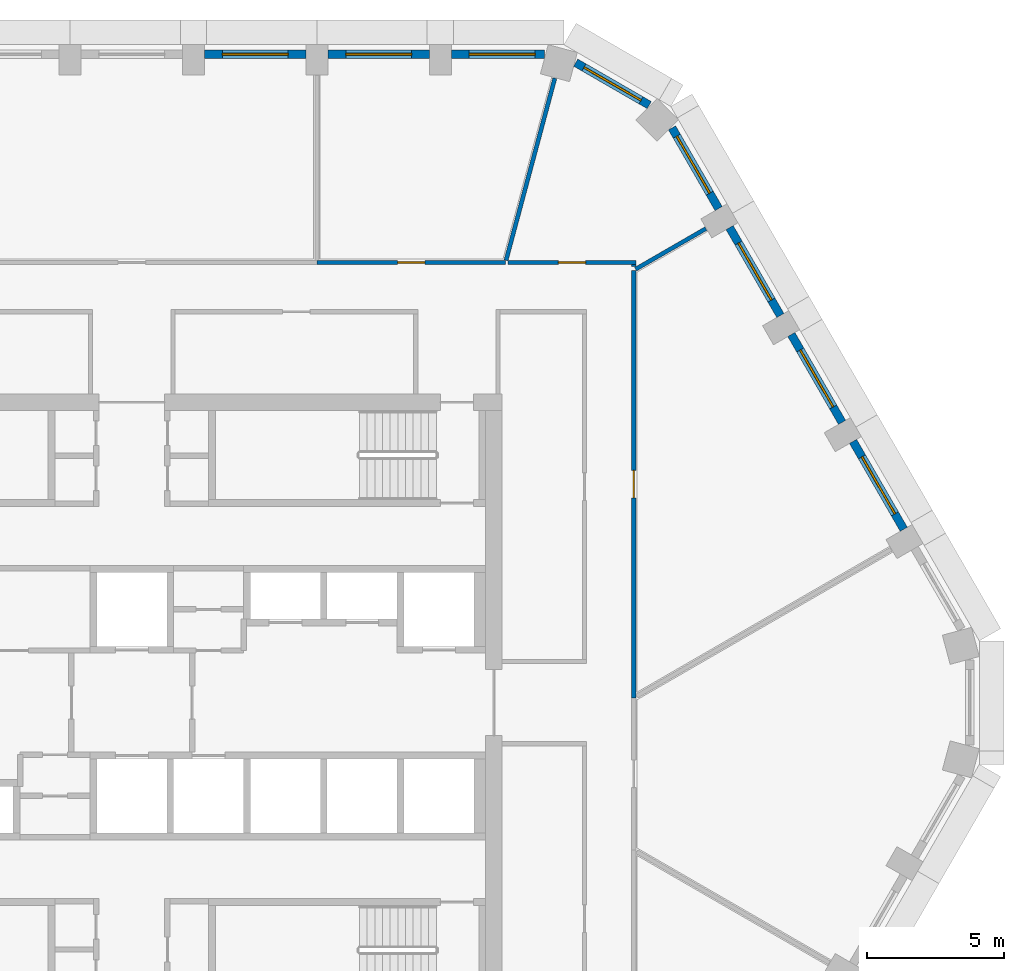
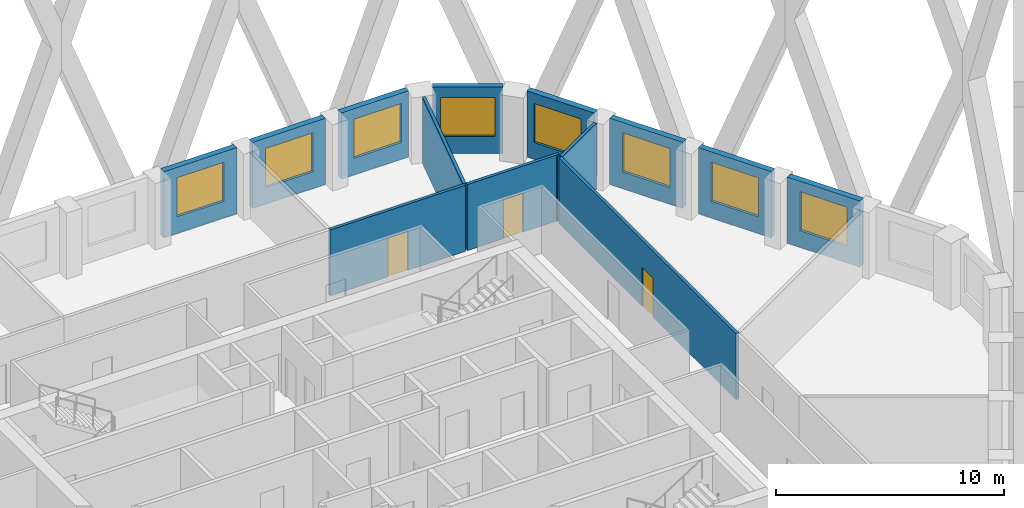
# One storey, part 7 of 16: 14 walls, 8 windows, 3 doors, 11 openings.
"""IFC4 building model written with IfcOpenShell, lengths in metres."""

from ifc_helpers import new_model, si_unit, direction, frame, frame_2d, origin, place, context, subcontext, project, spatial, rectangle, extrude, material, layer, layer_set, type_object, element, fill, save


model = new_model("IFC4")

# Units and contexts
model_context = context("Model", 3, precision=1e-05, world=origin(), true_north=direction((0.0, 1.0)))
body_context = subcontext(model_context, "Body", "Model", "MODEL_VIEW")
ifc_project = project(units=[si_unit("LENGTHUNIT", "METRE"), si_unit("AREAUNIT", "SQUARE_METRE"), si_unit("VOLUMEUNIT", "CUBIC_METRE"), si_unit("PLANEANGLEUNIT", "RADIAN"), si_unit("MASSUNIT", "GRAM", prefix="KILO")], contexts=[model_context])

# Site, building, storey
site_placement = place(None, origin())
site = spatial("IfcSite", under=ifc_project, at=site_placement, CompositionType="ELEMENT")
building_placement = place(site_placement, origin())
building = spatial("IfcBuilding", under=site, at=building_placement, Name="Dhurran Vertical Campus", CompositionType="ELEMENT")
storey_placement = place(building_placement, frame((0.0, 0.0, 183.89990234375)))
storey = spatial("IfcBuildingStorey", under=building, at=storey_placement, Name="L45", CompositionType="ELEMENT", Elevation=183.89990234375)

# Wall, opening, window
ifc_material_1 = material(Name="Precast concrete C50/60", Category="concrete")
ifc_layer_1 = layer(ifc_material_1, 0.300048828125)
ifc_layer_set_1 = layer_set([ifc_layer_1], Name="Precast concrete C50/60")
wall_type_1 = type_object("IfcWallType", Name="Precast spandrel wall 300", PredefinedType="SOLIDWALL", material=ifc_layer_set_1)
wall_1_placement = place(storey_placement, frame((28.143798828125, 6.319091796875, 0.0), z_axis=(0.0, 0.0, 1.0), x_axis=(-0.500029062817, 0.866008623709, 0.0)))
wall_1 = element("IfcWall", 1, at=wall_1_placement, inside=storey, type_object=wall_type_1, Name="EW1 L45.15", PredefinedType="SOLIDWALL", context=body_context, shape_type="SweptSolid", body=[
    extrude(rectangle(XDim=3.698974609375, YDim=0.300048828125, at=frame_2d((1.849609375, 0.0))), origin(), (0.0, 0.0, 1.0), 3.550048828125),
])
opening_1_placement = place(wall_1_placement, frame((0.6494140625, 0.0, 0.89990234375)))
opening_1 = element("IfcOpeningElement", 2, at=opening_1_placement, cuts=wall_1, Name="Opening WT1", PredefinedType="OPENING", context=body_context, shape_type="SweptSolid", body=[
    extrude(rectangle(XDim=2.39990234375, YDim=2.10009765625, at=frame_2d((1.199951171875, 1.050048828125))), frame((0.0, 0.159912109375, 0.0), z_axis=(0.0, -1.0, 0.0), x_axis=(1.0, 0.0, 0.0)), (0.0, 0.0, 1.0), 0.320068359375),
])
ifc_material_2 = material(Name="Aluminium frame with solar-control glass", Category="aluminium")
window_type = type_object("IfcWindowType", Name="Punched window 2400 x 2100", PartitioningType="SINGLE_PANEL", PredefinedType="WINDOW", material=ifc_material_2)
window_1_placement = place(opening_1_placement, origin())
window_1 = element("IfcWindow", 3, at=window_1_placement, inside=storey, type_object=window_type, Name="WT1 L45.15", OverallHeight=2.10009765625, OverallWidth=2.39990234375, PartitioningType="SINGLE_PANEL", PredefinedType="WINDOW", context=body_context, shape_type="SweptSolid", body=[
    extrude(rectangle(XDim=2.39990234375, YDim=2.10009765625, at=frame_2d((1.199951171875, 1.050048828125))), frame((0.0, 0.030029296875, 0.0), z_axis=(0.0, -1.0, 0.0), x_axis=(1.0, 0.0, 0.0)), (0.0, 0.0, 1.0), 0.06005859375),
])
fill(opening_1, window_1)

wall_2_placement = place(storey_placement, frame((25.893798828125, 10.216064453125, 0.0), z_axis=(0.0, 0.0, 1.0), x_axis=(-0.500029062817, 0.866008623709, 0.0)))
wall_2 = element("IfcWall", 4, at=wall_2_placement, inside=storey, type_object=wall_type_1, Name="EW1 L45.16", PredefinedType="SOLIDWALL", context=body_context, shape_type="SweptSolid", body=[
    extrude(rectangle(XDim=3.698974609375, YDim=0.300048828125, at=frame_2d((1.849609375, 0.0))), origin(), (0.0, 0.0, 1.0), 3.550048828125),
])
opening_2_placement = place(wall_2_placement, frame((0.6494140625, 0.0, 0.89990234375)))
opening_2 = element("IfcOpeningElement", 5, at=opening_2_placement, cuts=wall_2, Name="Opening WT1", PredefinedType="OPENING", context=body_context, shape_type="SweptSolid", body=[
    extrude(rectangle(XDim=2.39990234375, YDim=2.10009765625, at=frame_2d((1.199951171875, 1.050048828125))), frame((0.0, 0.159912109375, 0.0), z_axis=(0.0, -1.0, 0.0), x_axis=(1.0, 0.0, 0.0)), (0.0, 0.0, 1.0), 0.320068359375),
])
window_2_placement = place(opening_2_placement, origin())
window_2 = element("IfcWindow", 6, at=window_2_placement, inside=storey, type_object=window_type, Name="WT1 L45.16", OverallHeight=2.10009765625, OverallWidth=2.39990234375, PartitioningType="SINGLE_PANEL", PredefinedType="WINDOW", context=body_context, shape_type="SweptSolid", body=[
    extrude(rectangle(XDim=2.39990234375, YDim=2.10009765625, at=frame_2d((1.199951171875, 1.050048828125))), frame((0.0, 0.030029296875, 0.0), z_axis=(0.0, -1.0, 0.0), x_axis=(1.0, 0.0, 0.0)), (0.0, 0.0, 1.0), 0.06005859375),
])
fill(opening_2, window_2)

wall_3_placement = place(storey_placement, frame((23.643798828125, 14.11328125, 0.0), z_axis=(0.0, 0.0, 1.0), x_axis=(-0.500029062817, 0.866008623709, 0.0)))
wall_3 = element("IfcWall", 7, at=wall_3_placement, inside=storey, type_object=wall_type_1, Name="EW1 L45.17", PredefinedType="SOLIDWALL", context=body_context, shape_type="SweptSolid", body=[
    extrude(rectangle(XDim=3.698974609375, YDim=0.300048828125, at=frame_2d((1.849609375, 0.0))), origin(), (0.0, 0.0, 1.0), 3.550048828125),
])
opening_3_placement = place(wall_3_placement, frame((0.6494140625, 0.0, 0.89990234375)))
opening_3 = element("IfcOpeningElement", 8, at=opening_3_placement, cuts=wall_3, Name="Opening WT1", PredefinedType="OPENING", context=body_context, shape_type="SweptSolid", body=[
    extrude(rectangle(XDim=2.39990234375, YDim=2.10009765625, at=frame_2d((1.199951171875, 1.050048828125))), frame((0.0, 0.159912109375, 0.0), z_axis=(0.0, -1.0, 0.0), x_axis=(1.0, 0.0, 0.0)), (0.0, 0.0, 1.0), 0.320068359375),
])
window_3_placement = place(opening_3_placement, origin())
window_3 = element("IfcWindow", 9, at=window_3_placement, inside=storey, type_object=window_type, Name="WT1 L45.17", OverallHeight=2.10009765625, OverallWidth=2.39990234375, PartitioningType="SINGLE_PANEL", PredefinedType="WINDOW", context=body_context, shape_type="SweptSolid", body=[
    extrude(rectangle(XDim=2.39990234375, YDim=2.10009765625, at=frame_2d((1.199951171875, 1.050048828125))), frame((0.0, 0.030029296875, 0.0), z_axis=(0.0, -1.0, 0.0), x_axis=(1.0, 0.0, 0.0)), (0.0, 0.0, 1.0), 0.06005859375),
])
fill(opening_3, window_3)

wall_4_placement = place(storey_placement, frame((21.393798828125, 18.01025390625, 0.0), z_axis=(0.0, 0.0, 1.0), x_axis=(-0.500012868213, 0.866017974191, 0.0)))
wall_4 = element("IfcWall", 10, at=wall_4_placement, inside=storey, type_object=wall_type_1, Name="EW1 L45.18", PredefinedType="SOLIDWALL", context=body_context, shape_type="SweptSolid", body=[
    extrude(rectangle(XDim=3.39599609375, YDim=0.300048828125, at=frame_2d((1.697998046875, 0.0))), origin(), (0.0, 0.0, 1.0), 3.550048828125),
])
opening_4_placement = place(wall_4_placement, frame((0.6494140625, 0.0, 0.89990234375)))
opening_4 = element("IfcOpeningElement", 11, at=opening_4_placement, cuts=wall_4, Name="Opening WT1", PredefinedType="OPENING", context=body_context, shape_type="SweptSolid", body=[
    extrude(rectangle(XDim=2.39990234375, YDim=2.10009765625, at=frame_2d((1.199951171875, 1.050048828125))), frame((0.0, 0.159912109375, 0.0), z_axis=(0.0, -1.0, 0.0), x_axis=(1.0, 0.0, 0.0)), (0.0, 0.0, 1.0), 0.320068359375),
])
window_4_placement = place(opening_4_placement, origin())
window_4 = element("IfcWindow", 12, at=window_4_placement, inside=storey, type_object=window_type, Name="WT1 L45.18", OverallHeight=2.10009765625, OverallWidth=2.39990234375, PartitioningType="SINGLE_PANEL", PredefinedType="WINDOW", context=body_context, shape_type="SweptSolid", body=[
    extrude(rectangle(XDim=2.39990234375, YDim=2.10009765625, at=frame_2d((1.199951171875, 1.050048828125))), frame((0.0, 0.030029296875, 0.0), z_axis=(0.0, -1.0, 0.0), x_axis=(1.0, 0.0, 0.0)), (0.0, 0.0, 1.0), 0.06005859375),
])
fill(opening_4, window_4)

wall_5_placement = place(storey_placement, frame((18.86279296875, 21.7841796875, 0.0), z_axis=(0.0, 0.0, 1.0), x_axis=(-0.865994975416, 0.500052699777, 0.0)))
wall_5 = element("IfcWall", 13, at=wall_5_placement, inside=storey, type_object=wall_type_1, Name="EW1 L45.19", PredefinedType="SOLIDWALL", context=body_context, shape_type="SweptSolid", body=[
    extrude(rectangle(XDim=3.093017578125, YDim=0.300048828125, at=frame_2d((1.54638671875, 0.0))), origin(), (0.0, 0.0, 1.0), 3.550048828125),
])
opening_5_placement = place(wall_5_placement, frame((0.34619140625, 0.0, 0.89990234375)))
opening_5 = element("IfcOpeningElement", 14, at=opening_5_placement, cuts=wall_5, Name="Opening WT1", PredefinedType="OPENING", context=body_context, shape_type="SweptSolid", body=[
    extrude(rectangle(XDim=2.39990234375, YDim=2.10009765625, at=frame_2d((1.199951171875, 1.050048828125))), frame((0.0, 0.159912109375, 0.0), z_axis=(0.0, -1.0, 0.0), x_axis=(1.0, 0.0, 0.0)), (0.0, 0.0, 1.0), 0.320068359375),
])
window_5_placement = place(opening_5_placement, origin())
window_5 = element("IfcWindow", 15, at=window_5_placement, inside=storey, type_object=window_type, Name="WT1 L45.19", OverallHeight=2.10009765625, OverallWidth=2.39990234375, PartitioningType="SINGLE_PANEL", PredefinedType="WINDOW", context=body_context, shape_type="SweptSolid", body=[
    extrude(rectangle(XDim=2.39990234375, YDim=2.10009765625, at=frame_2d((1.199951171875, 1.050048828125))), frame((0.0, 0.030029296875, 0.0), z_axis=(0.0, -1.0, 0.0), x_axis=(1.0, 0.0, 0.0)), (0.0, 0.0, 1.0), 0.06005859375),
])
fill(opening_5, window_5)

wall_6_placement = place(storey_placement, frame((15.04638671875, 23.635498046875, 0.0), z_axis=(0.0, 0.0, 1.0), x_axis=(-1.0, 0.0, 0.0)))
wall_6 = element("IfcWall", 16, at=wall_6_placement, inside=storey, type_object=wall_type_1, Name="EW1 L45.20", PredefinedType="SOLIDWALL", context=body_context, shape_type="SweptSolid", body=[
    extrude(rectangle(XDim=3.39599609375, YDim=0.300048828125, at=frame_2d((1.697998046875, 0.0))), origin(), (0.0, 0.0, 1.0), 3.550048828125),
])
opening_6_placement = place(wall_6_placement, frame((0.34619140625, 0.0, 0.89990234375)))
opening_6 = element("IfcOpeningElement", 17, at=opening_6_placement, cuts=wall_6, Name="Opening WT1", PredefinedType="OPENING", context=body_context, shape_type="SweptSolid", body=[
    extrude(rectangle(XDim=2.39990234375, YDim=2.10009765625, at=frame_2d((1.199951171875, 1.050048828125))), frame((0.0, 0.159912109375, 0.0), z_axis=(0.0, -1.0, 0.0), x_axis=(1.0, 0.0, 0.0)), (0.0, 0.0, 1.0), 0.320068359375),
])
window_6_placement = place(opening_6_placement, origin())
window_6 = element("IfcWindow", 18, at=window_6_placement, inside=storey, type_object=window_type, Name="WT1 L45.20", OverallHeight=2.10009765625, OverallWidth=2.39990234375, PartitioningType="SINGLE_PANEL", PredefinedType="WINDOW", context=body_context, shape_type="SweptSolid", body=[
    extrude(rectangle(XDim=2.39990234375, YDim=2.10009765625, at=frame_2d((1.199951171875, 1.050048828125))), frame((0.0, 0.030029296875, 0.0), z_axis=(0.0, -1.0, 0.0), x_axis=(1.0, 0.0, 0.0)), (0.0, 0.0, 1.0), 0.06005859375),
])
fill(opening_6, window_6)

wall_7_placement = place(storey_placement, frame((10.849609375, 23.635498046875, 0.0), z_axis=(0.0, 0.0, 1.0), x_axis=(-1.0, 0.0, 0.0)))
wall_7 = element("IfcWall", 19, at=wall_7_placement, inside=storey, type_object=wall_type_1, Name="EW1 L45.21", PredefinedType="SOLIDWALL", context=body_context, shape_type="SweptSolid", body=[
    extrude(rectangle(XDim=3.69921875, YDim=0.300048828125, at=frame_2d((1.849609375, 0.0))), origin(), (0.0, 0.0, 1.0), 3.550048828125),
])
opening_7_placement = place(wall_7_placement, frame((0.6494140625, 0.0, 0.89990234375)))
opening_7 = element("IfcOpeningElement", 20, at=opening_7_placement, cuts=wall_7, Name="Opening WT1", PredefinedType="OPENING", context=body_context, shape_type="SweptSolid", body=[
    extrude(rectangle(XDim=2.39990234375, YDim=2.10009765625, at=frame_2d((1.199951171875, 1.050048828125))), frame((0.0, 0.159912109375, 0.0), z_axis=(0.0, -1.0, 0.0), x_axis=(1.0, 0.0, 0.0)), (0.0, 0.0, 1.0), 0.320068359375),
])
window_7_placement = place(opening_7_placement, origin())
window_7 = element("IfcWindow", 21, at=window_7_placement, inside=storey, type_object=window_type, Name="WT1 L45.21", OverallHeight=2.10009765625, OverallWidth=2.39990234375, PartitioningType="SINGLE_PANEL", PredefinedType="WINDOW", context=body_context, shape_type="SweptSolid", body=[
    extrude(rectangle(XDim=2.39990234375, YDim=2.10009765625, at=frame_2d((1.199951171875, 1.050048828125))), frame((0.0, 0.030029296875, 0.0), z_axis=(0.0, -1.0, 0.0), x_axis=(1.0, 0.0, 0.0)), (0.0, 0.0, 1.0), 0.06005859375),
])
fill(opening_7, window_7)

wall_8_placement = place(storey_placement, frame((6.349609375, 23.635498046875, 0.0), z_axis=(0.0, 0.0, 1.0), x_axis=(-1.0, 0.0, 0.0)))
wall_8 = element("IfcWall", 22, at=wall_8_placement, inside=storey, type_object=wall_type_1, Name="EW1 L45.22", PredefinedType="SOLIDWALL", context=body_context, shape_type="SweptSolid", body=[
    extrude(rectangle(XDim=3.69921875, YDim=0.300048828125, at=frame_2d((1.849609375, 0.0))), origin(), (0.0, 0.0, 1.0), 3.550048828125),
])
opening_8_placement = place(wall_8_placement, frame((0.6494140625, 0.0, 0.89990234375)))
opening_8 = element("IfcOpeningElement", 23, at=opening_8_placement, cuts=wall_8, Name="Opening WT1", PredefinedType="OPENING", context=body_context, shape_type="SweptSolid", body=[
    extrude(rectangle(XDim=2.39990234375, YDim=2.10009765625, at=frame_2d((1.199951171875, 1.050048828125))), frame((0.0, 0.159912109375, 0.0), z_axis=(0.0, -1.0, 0.0), x_axis=(1.0, 0.0, 0.0)), (0.0, 0.0, 1.0), 0.320068359375),
])
window_8_placement = place(opening_8_placement, origin())
window_8 = element("IfcWindow", 24, at=window_8_placement, inside=storey, type_object=window_type, Name="WT1 L45.22", OverallHeight=2.10009765625, OverallWidth=2.39990234375, PartitioningType="SINGLE_PANEL", PredefinedType="WINDOW", context=body_context, shape_type="SweptSolid", body=[
    extrude(rectangle(XDim=2.39990234375, YDim=2.10009765625, at=frame_2d((1.199951171875, 1.050048828125))), frame((0.0, 0.030029296875, 0.0), z_axis=(0.0, -1.0, 0.0), x_axis=(1.0, 0.0, 0.0)), (0.0, 0.0, 1.0), 0.06005859375),
])
fill(opening_8, window_8)

# Wall, opening, door
ifc_material_3 = material(Name="Gypsum board corridor wall on steel studs", Category="steel")
ifc_layer_2 = layer(ifc_material_3, 0.14990234375)
ifc_layer_set_2 = layer_set([ifc_layer_2], Name="Gypsum board corridor wall on steel studs")
wall_type_2 = type_object("IfcWallType", Name="fl-CW-150 corridor wall", PredefinedType="PARTITIONING", material=ifc_layer_set_2)
wall_9_placement = place(storey_placement, frame((13.6240234375, 16.050048828125, 0.0), z_axis=(0.0, 0.0, 1.0), x_axis=(-1.0, 0.0, 0.0)))
wall_9 = element("IfcWall", 25, at=wall_9_placement, inside=storey, type_object=wall_type_2, Name="Partition 45-41", PredefinedType="PARTITIONING", context=body_context, shape_type="SweptSolid", body=[
    extrude(rectangle(XDim=6.8740234375, YDim=0.14990234375, at=frame_2d((3.43701171875, 0.0))), origin(), (0.0, 0.0, 1.0), 3.550048828125),
])
opening_9_placement = place(wall_9_placement, frame((2.93701171875, 0.0, 0.0)))
opening_9 = element("IfcOpeningElement", 26, at=opening_9_placement, cuts=wall_9, Name="Opening T13.17", PredefinedType="OPENING", context=body_context, shape_type="SweptSolid", body=[
    extrude(rectangle(XDim=1.0, YDim=2.10009765625, at=frame_2d((0.5, 1.050048828125))), frame((0.0, 0.0849609375, 0.0), z_axis=(0.0, -1.0, 0.0), x_axis=(1.0, 0.0, 0.0)), (0.0, 0.0, 1.0), 0.169921875),
])
ifc_material_4 = material(Name="Solid-core timber door set, fire-rated", Category="wood")
door_type = type_object("IfcDoorType", Name="fl-D-1000x2100", OperationType="SINGLE_SWING_LEFT", PredefinedType="DOOR", material=ifc_material_4)
door_1_placement = place(opening_9_placement, origin())
door_1 = element("IfcDoor", 27, at=door_1_placement, inside=storey, type_object=door_type, Name="Door 45.17", OperationType="SINGLE_SWING_RIGHT", OverallHeight=2.10009765625, OverallWidth=1.0, PredefinedType="DOOR", context=body_context, shape_type="SweptSolid", body=[
    extrude(rectangle(XDim=1.0, YDim=2.10009765625, at=frame_2d((0.5, 1.050048828125))), frame((0.0, 0.02490234375, 0.0), z_axis=(0.0, -1.0, 0.0), x_axis=(1.0, 0.0, 0.0)), (0.0, 0.0, 1.0), 0.050048828125),
])
fill(opening_9, door_1)

wall_10_placement = place(storey_placement, frame((18.375, 16.050048828125, 0.0), z_axis=(0.0, 0.0, 1.0), x_axis=(-1.0, 0.0, 0.0)))
wall_10 = element("IfcWall", 28, at=wall_10_placement, inside=storey, type_object=wall_type_2, Name="Partition 45-53", PredefinedType="PARTITIONING", context=body_context, shape_type="SweptSolid", body=[
    extrude(rectangle(XDim=4.656005859375, YDim=0.14990234375, at=frame_2d((2.328125, 0.0))), origin(), (0.0, 0.0, 1.0), 3.550048828125),
])
opening_10_placement = place(wall_10_placement, frame((1.827880859375, 0.0, 0.0)))
opening_10 = element("IfcOpeningElement", 29, at=opening_10_placement, cuts=wall_10, Name="Opening T13.20", PredefinedType="OPENING", context=body_context, shape_type="SweptSolid", body=[
    extrude(rectangle(XDim=1.0, YDim=2.10009765625, at=frame_2d((0.5, 1.050048828125))), frame((0.0, 0.0849609375, 0.0), z_axis=(0.0, -1.0, 0.0), x_axis=(1.0, 0.0, 0.0)), (0.0, 0.0, 1.0), 0.169921875),
])
door_2_placement = place(opening_10_placement, origin())
door_2 = element("IfcDoor", 30, at=door_2_placement, inside=storey, type_object=door_type, Name="Door 45.20", OperationType="SINGLE_SWING_RIGHT", OverallHeight=2.10009765625, OverallWidth=1.0, PredefinedType="DOOR", context=body_context, shape_type="SweptSolid", body=[
    extrude(rectangle(XDim=1.0, YDim=2.10009765625, at=frame_2d((0.5, 1.050048828125))), frame((0.0, 0.02490234375, 0.0), z_axis=(0.0, -1.0, 0.0), x_axis=(1.0, 0.0, 0.0)), (0.0, 0.0, 1.0), 0.050048828125),
])
fill(opening_10, door_2)

wall_11_placement = place(storey_placement, frame((18.300048828125, 0.173095703125, 0.0), z_axis=(0.0, 0.0, 1.0), x_axis=(0.0, 1.0, 0.0)))
wall_11 = element("IfcWall", 31, at=wall_11_placement, inside=storey, type_object=wall_type_2, Name="Partition 45-59", PredefinedType="PARTITIONING", context=body_context, shape_type="SweptSolid", body=[
    extrude(rectangle(XDim=15.5888671875, YDim=0.14990234375, at=frame_2d((7.79443359375, 0.0))), origin(), (0.0, 0.0, 1.0), 3.550048828125),
])
opening_11_placement = place(wall_11_placement, frame((7.29443359375, 0.0, 0.0)))
opening_11 = element("IfcOpeningElement", 32, at=opening_11_placement, cuts=wall_11, Name="Opening T13.22", PredefinedType="OPENING", context=body_context, shape_type="SweptSolid", body=[
    extrude(rectangle(XDim=1.0, YDim=2.10009765625, at=frame_2d((0.5, 1.050048828125))), frame((0.0, 0.0849609375, 0.0), z_axis=(0.0, -1.0, 0.0), x_axis=(1.0, 0.0, 0.0)), (0.0, 0.0, 1.0), 0.169921875),
])
door_3_placement = place(opening_11_placement, origin())
door_3 = element("IfcDoor", 33, at=door_3_placement, inside=storey, type_object=door_type, Name="Door 45.22", OperationType="SINGLE_SWING_RIGHT", OverallHeight=2.10009765625, OverallWidth=1.0, PredefinedType="DOOR", context=body_context, shape_type="SweptSolid", body=[
    extrude(rectangle(XDim=1.0, YDim=2.10009765625, at=frame_2d((0.5, 1.050048828125))), frame((0.0, 0.02490234375, 0.0), z_axis=(0.0, -1.0, 0.0), x_axis=(1.0, 0.0, 0.0)), (0.0, 0.0, 1.0), 0.050048828125),
])
fill(opening_11, door_3)

# Walls
wall_12_placement = place(storey_placement, frame((18.300048828125, 15.89208984375, 0.0), z_axis=(0.0, 0.0, 1.0), x_axis=(0.0, 1.0, 0.0)))
element("IfcWall", 34, at=wall_12_placement, inside=storey, type_object=wall_type_2, Name="Partition 45-61", PredefinedType="PARTITIONING", context=body_context, shape_type="SweptSolid", body=[
    extrude(rectangle(XDim=0.0830078125, YDim=0.14990234375, at=frame_2d((0.04150390625, 0.0))), origin(), (0.0, 0.0, 1.0), 3.550048828125),
])
ifc_material_5 = material(Name="Gypsum board partition on steel studs", Category="steel")
ifc_layer_3 = layer(ifc_material_5, 0.14990234375)
ifc_layer_set_3 = layer_set([ifc_layer_3], Name="Gypsum board partition on steel studs")
wall_type_3 = type_object("IfcWallType", Name="fl-PW-150 fixed partition", PredefinedType="PARTITIONING", material=ifc_layer_set_3)
wall_13_placement = place(storey_placement, frame((15.422119140625, 22.76123046875, 0.0), z_axis=(0.0, 0.0, 1.0), x_axis=(-0.258807697684, -0.965928866749, 0.0)))
element("IfcWall", 35, at=wall_13_placement, inside=storey, type_object=wall_type_3, Name="Partition 45-52", PredefinedType="PARTITIONING", context=body_context, shape_type="SweptSolid", body=[
    extrude(rectangle(XDim=6.873046875, YDim=0.14990234375, at=frame_2d((3.4365234375, 0.0))), origin(), (0.0, 0.0, 1.0), 3.550048828125),
])
wall_14_placement = place(storey_placement, frame((20.92724609375, 17.2783203125, 0.0), z_axis=(0.0, 0.0, 1.0), x_axis=(-0.866107263007, -0.499858188855, 0.0)))
element("IfcWall", 36, at=wall_14_placement, inside=storey, type_object=wall_type_3, Name="Partition 45-62", PredefinedType="PARTITIONING", context=body_context, shape_type="SweptSolid", body=[
    extrude(rectangle(XDim=2.958251953125, YDim=0.14990234375, at=frame_2d((1.47900390625, 0.0))), origin(), (0.0, 0.0, 1.0), 3.550048828125),
])

save(model, "model.ifc")
